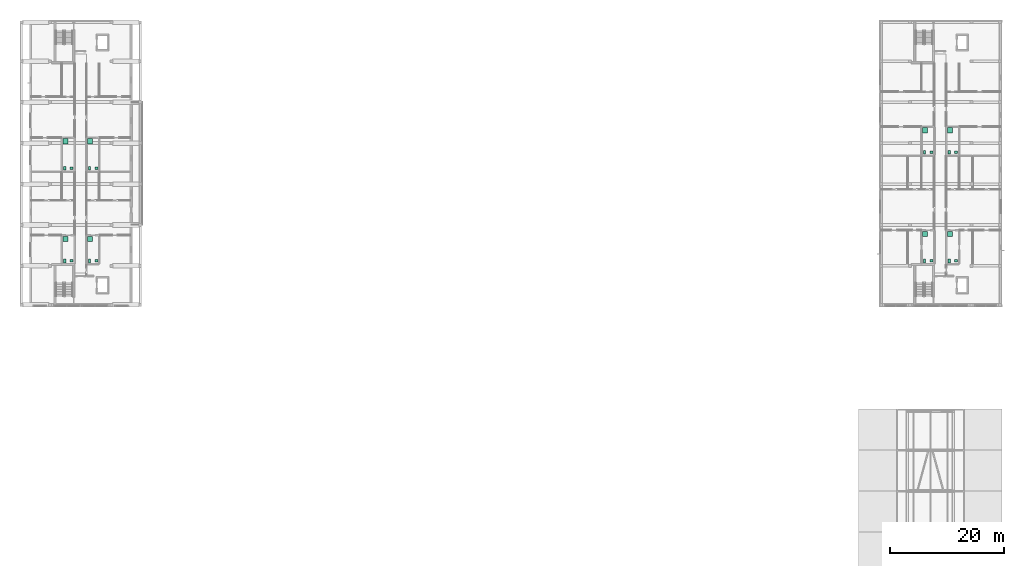
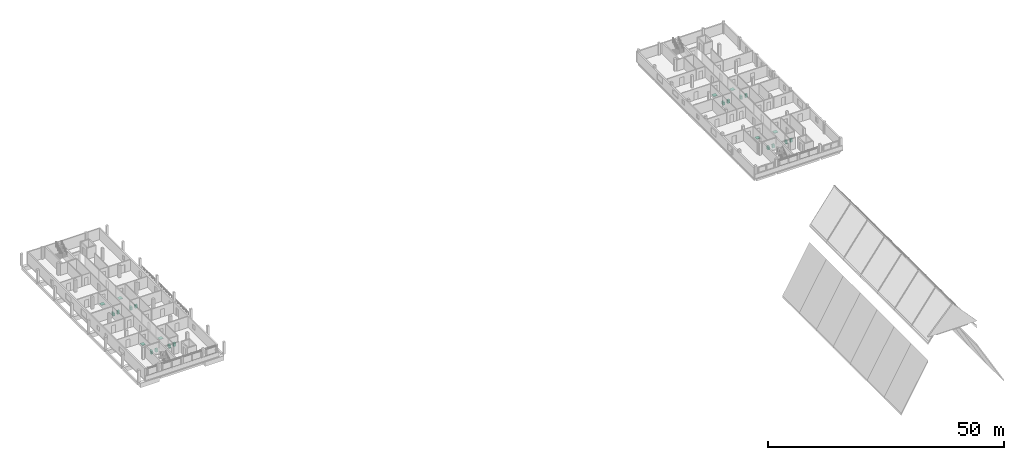
# One storey, part 29 of 29: 24 sanitary terminals.
"""IFC4 building model written with IfcOpenShell, lengths in metres."""

from ifc_helpers import new_model, si_unit, derived_unit, direction, frame, origin, origin_2d, place, context, subcontext, project, spatial, rectangle, extrude, material, type_object, element, save


model = new_model("IFC4")

# Units and contexts
model_context = context("Model", 3, precision=1e-05, world=origin(), true_north=direction((0.0, 1.0)))
body_context = subcontext(model_context, "Body", "Model", "MODEL_VIEW")
ifc_project = project(units=[si_unit("LENGTHUNIT", "METRE"), si_unit("AREAUNIT", "SQUARE_METRE"), si_unit("VOLUMEUNIT", "CUBIC_METRE"), si_unit("PLANEANGLEUNIT", "RADIAN"), si_unit("MASSUNIT", "GRAM", prefix="KILO"), derived_unit("THERMALTRANSMITTANCEUNIT", [(si_unit("MASSUNIT", "GRAM", prefix="KILO"), 1), (si_unit("TIMEUNIT", "SECOND"), -3), (si_unit("THERMODYNAMICTEMPERATUREUNIT", "KELVIN"), -1)])], contexts=[model_context])

# Site, building, storey
site_placement = place(None, origin())
site = spatial("IfcSite", under=ifc_project, at=site_placement, CompositionType="ELEMENT")
building_placement = place(site_placement, origin())
building = spatial("IfcBuilding", under=site, at=building_placement, Name="Ochrekiln Boulevard Commons", CompositionType="ELEMENT")
storey_placement = place(building_placement, frame((0.0, 0.0, 37.27490234375)))
storey = spatial("IfcBuildingStorey", under=building, at=storey_placement, Name="L11", CompositionType="ELEMENT", Elevation=37.27490234375)

# Sanitary terminals
ifc_material = material(Name="Vitreous china sanitaryware")
sanitary_terminal_type_1 = type_object("IfcSanitaryTerminalType", Name="SAN-BAS", PredefinedType="WASHHANDBASIN", material=ifc_material)
for number, where, z_axis, x_axis, name in (
    (1, (9.169921875, 76.5, 0.0), (0.0, 0.0, 1.0), (1.0, 0.0, 0.0), "L11 Washhand Basin Fixture"),
    (2, (9.169921875, 92.781982421875, 0.0), (0.0, 0.0, 1.0), (1.0, 0.0, 0.0), "L11 Washhand Basin Fixture"),
    (3, (13.530029296875, 76.5, 0.0), (0.0, 0.0, 1.0), (1.0, 0.0, 0.0), "L11 Washhand Basin Fixture"),
    (4, (13.530029296875, 92.781982421875, 0.0), (0.0, 0.0, 1.0), (1.0, 0.0, 0.0), "L11 Washhand Basin Fixture"),
    (5, (160.3701171875, 76.5, 0.0), (0.0, 0.0, 1.0), (1.0, 0.0, 0.0), "L11 Washhand Basin Fixture"),
    (6, (160.3701171875, 95.597900390625, 0.0), (0.0, 0.0, 1.0), (1.0, 0.0, 0.0), "L11 Washhand Basin Fixture"),
    (7, (164.72998046875, 76.5, 0.0), (0.0, 0.0, 1.0), (1.0, 0.0, 0.0), "L11 Washhand Basin Fixture"),
    (8, (164.72998046875, 95.597900390625, 0.0), (0.0, 0.0, 1.0), (1.0, 0.0, 0.0), "L11 Washhand Basin Fixture"),
):
    element("IfcSanitaryTerminal", number, at=place(storey_placement, frame(where, z_axis=z_axis, x_axis=x_axis)), inside=storey, type_object=sanitary_terminal_type_1, Name=name, PredefinedType="WASHHANDBASIN", context=body_context, shape_type="SweptSolid", body=[
        extrude(rectangle(XDim=0.550048828125, YDim=0.4599609375, at=origin_2d()), origin(), (0.0, 0.0, 1.0), 0.840087890625),
    ])
sanitary_terminal_type_2 = type_object("IfcSanitaryTerminalType", Name="SAN-SHW", PredefinedType="SHOWER", material=ifc_material)
for number, where, z_axis, x_axis, name in (
    (9, (8.070068359375, 80.362060546875, 0.0), (0.0, 0.0, 1.0), (1.0, 0.0, 0.0), "L11 Shower Receptor"),
    (10, (8.070068359375, 97.51708984375, 0.0), (0.0, 0.0, 1.0), (1.0, 0.0, 0.0), "L11 Shower Receptor"),
    (11, (12.429931640625, 80.362060546875, 0.0), (0.0, 0.0, 1.0), (1.0, 0.0, 0.0), "L11 Shower Receptor"),
    (12, (12.429931640625, 97.51708984375, 0.0), (0.0, 0.0, 1.0), (1.0, 0.0, 0.0), "L11 Shower Receptor"),
    (13, (159.27001953125, 81.235107421875, 0.0), (0.0, 0.0, 1.0), (1.0, 0.0, 0.0), "L11 Shower Receptor"),
    (14, (159.27001953125, 99.4599609375, 0.0), (0.0, 0.0, 1.0), (1.0, 0.0, 0.0), "L11 Shower Receptor"),
    (15, (163.6298828125, 81.235107421875, 0.0), (0.0, 0.0, 1.0), (1.0, 0.0, 0.0), "L11 Shower Receptor"),
    (16, (163.6298828125, 99.4599609375, 0.0), (0.0, 0.0, 1.0), (1.0, 0.0, 0.0), "L11 Shower Receptor"),
):
    element("IfcSanitaryTerminal", number, at=place(storey_placement, frame(where, z_axis=z_axis, x_axis=x_axis)), inside=storey, type_object=sanitary_terminal_type_2, Name=name, PredefinedType="SHOWER", context=body_context, shape_type="SweptSolid", body=[
        extrude(rectangle(XDim=0.89990234375, YDim=0.89990234375, at=origin_2d()), origin(), (0.0, 0.0, 1.0), 0.1201171875),
    ])
sanitary_terminal_type_3 = type_object("IfcSanitaryTerminalType", Name="SAN-WC", PredefinedType="TOILETPAN", material=ifc_material)
for number, where, z_axis, x_axis, name in (
    (17, (7.969970703125, 76.5, 0.0), (0.0, 0.0, 1.0), (1.0, 0.0, 0.0), "L11 Water Closet Fixture"),
    (18, (7.969970703125, 92.781982421875, 0.0), (0.0, 0.0, 1.0), (1.0, 0.0, 0.0), "L11 Water Closet Fixture"),
    (19, (12.330078125, 76.5, 0.0), (0.0, 0.0, 1.0), (1.0, 0.0, 0.0), "L11 Water Closet Fixture"),
    (20, (12.330078125, 92.781982421875, 0.0), (0.0, 0.0, 1.0), (1.0, 0.0, 0.0), "L11 Water Closet Fixture"),
    (21, (159.169921875, 76.5, 0.0), (0.0, 0.0, 1.0), (1.0, 0.0, 0.0), "L11 Water Closet Fixture"),
    (22, (159.169921875, 95.597900390625, 0.0), (0.0, 0.0, 1.0), (1.0, 0.0, 0.0), "L11 Water Closet Fixture"),
    (23, (163.530029296875, 76.5, 0.0), (0.0, 0.0, 1.0), (1.0, 0.0, 0.0), "L11 Water Closet Fixture"),
    (24, (163.530029296875, 95.597900390625, 0.0), (0.0, 0.0, 1.0), (1.0, 0.0, 0.0), "L11 Water Closet Fixture"),
):
    element("IfcSanitaryTerminal", number, at=place(storey_placement, frame(where, z_axis=z_axis, x_axis=x_axis)), inside=storey, type_object=sanitary_terminal_type_3, Name=name, PredefinedType="TOILETPAN", context=body_context, shape_type="SweptSolid", body=[
        extrude(rectangle(XDim=0.419921875, YDim=0.679931640625, at=origin_2d()), origin(), (0.0, 0.0, 1.0), 0.780029296875),
    ])

save(model, "model.ifc")
